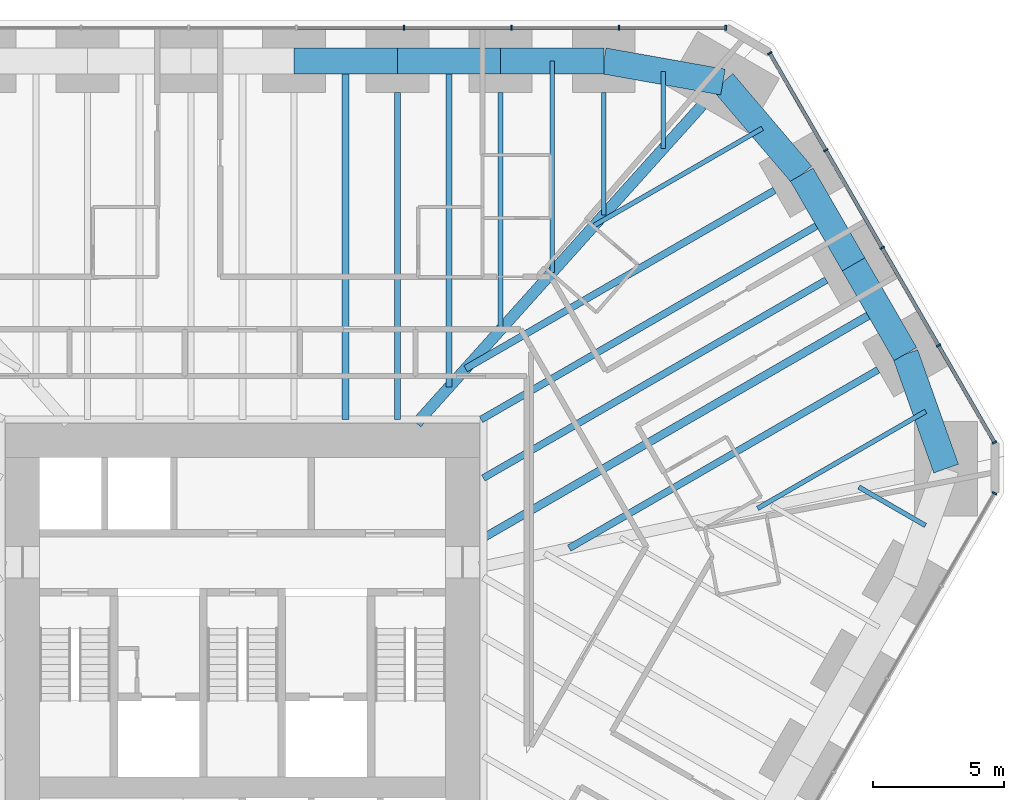
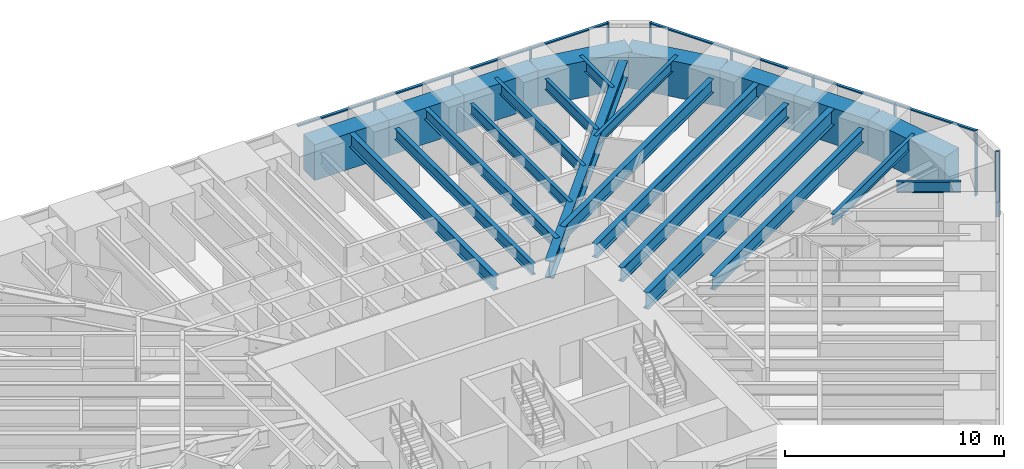
# One storey, part 9 of 17: 24 beams, 18 members, 3 elements without a shape of their own.
"""IFC4 building model written with IfcOpenShell, lengths in metres."""

from ifc_helpers import new_model, si_unit, direction, frame, origin, origin_2d, place, context, subcontext, project, spatial, rectangle, i_section, extrude, material, material_profile, profile_set, type_object, element, aggregate, save


model = new_model("IFC4")

# Units and contexts
model_context = context("Model", 3, precision=1e-05, world=origin(), true_north=direction((0.0, 1.0)))
body_context = subcontext(model_context, "Body", "Model", "MODEL_VIEW")
ifc_project = project(units=[si_unit("LENGTHUNIT", "METRE"), si_unit("AREAUNIT", "SQUARE_METRE"), si_unit("VOLUMEUNIT", "CUBIC_METRE"), si_unit("PLANEANGLEUNIT", "RADIAN"), si_unit("MASSUNIT", "GRAM", prefix="KILO")], contexts=[model_context])

# Site, building, storey
site_placement = place(None, origin())
site = spatial("IfcSite", under=ifc_project, at=site_placement, CompositionType="ELEMENT")
building_placement = place(site_placement, origin())
building = spatial("IfcBuilding", under=site, at=building_placement, Name="Sandreach Pilgrim Tower", CompositionType="ELEMENT")
storey_placement = place(building_placement, frame((0.0, 0.0, 100.60009765625)))
storey = spatial("IfcBuildingStorey", under=building, at=storey_placement, Name="L24", CompositionType="ELEMENT", Elevation=100.60009765625)

# Curtain wall, members
ifc_material_1 = material(Name="Aluminium framed curtain wall", Category="aluminium")
curtain_wall_type = type_object("IfcCurtainWallType", Name="Hotel tower curtain wall", PredefinedType="NOTDEFINED", material=ifc_material_1)
curtain_wall_1_placement = place(storey_placement, origin())
curtain_wall_1 = element("IfcCurtainWall", 1, at=curtain_wall_1_placement, inside=storey, type_object=curtain_wall_type, Name="CW-2 L24 N", PredefinedType="NOTDEFINED")
ifc_material_2 = material(Name="Aluminium extrusion", Category="aluminium")
ifc_material_profile_1 = material_profile(ifc_material_2, rectangle(XDim=0.06494140625, YDim=0.179931640625, at=origin_2d()), Name="CW-2M 65X180")
ifc_profile_set_1 = profile_set([ifc_material_profile_1], Name="Aluminium extrusion")
member_type_1 = type_object("IfcMemberType", Name="CW-2 mullion", PredefinedType="MULLION", material=ifc_profile_set_1)
member_1_placement = place(storey_placement, frame((6.160400390625, 22.493896484375, 0.0), z_axis=(0.0, 0.0, 1.0), x_axis=(1.0, 0.0, 0.0)))
member_1 = element("IfcMember", 2, at=member_1_placement, type_object=member_type_1, Name="CW-2 mullion 7", PredefinedType="MULLION", context=body_context, shape_type="SweptSolid", body=[
    extrude(rectangle(XDim=0.06494140625, YDim=0.179931640625, at=origin_2d()), origin(), (0.0, 0.0, 1.0), 3.639892578125),
])
member_2_placement = place(storey_placement, frame((10.267333984375, 22.493896484375, 0.0), z_axis=(0.0, 0.0, 1.0), x_axis=(1.0, 0.0, 0.0)))
member_2 = element("IfcMember", 3, at=member_2_placement, type_object=member_type_1, Name="CW-2 mullion 8", PredefinedType="MULLION", context=body_context, shape_type="SweptSolid", body=[
    extrude(rectangle(XDim=0.06494140625, YDim=0.179931640625, at=origin_2d()), origin(), (0.0, 0.0, 1.0), 3.639892578125),
])
member_3_placement = place(storey_placement, frame((14.37451171875, 22.493896484375, 0.0), z_axis=(0.0, 0.0, 1.0), x_axis=(1.0, 0.0, 0.0)))
member_3 = element("IfcMember", 4, at=member_3_placement, type_object=member_type_1, Name="CW-2 mullion 9", PredefinedType="MULLION", context=body_context, shape_type="SweptSolid", body=[
    extrude(rectangle(XDim=0.06494140625, YDim=0.179931640625, at=origin_2d()), origin(), (0.0, 0.0, 1.0), 3.639892578125),
])
member_4_placement = place(storey_placement, frame((18.448974609375, 22.493896484375, 0.0), z_axis=(0.0, 0.0, 1.0), x_axis=(1.0, 0.0, 0.0)))
member_4 = element("IfcMember", 5, at=member_4_placement, type_object=member_type_1, Name="CW-2 mullion 10", PredefinedType="MULLION", context=body_context, shape_type="SweptSolid", body=[
    extrude(rectangle(XDim=0.06494140625, YDim=0.179931640625, at=origin_2d()), origin(), (0.0, 0.0, 1.0), 3.639892578125),
])

curtain_wall_2_placement = place(storey_placement, origin())
curtain_wall_2 = element("IfcCurtainWall", 6, at=curtain_wall_2_placement, inside=storey, type_object=curtain_wall_type, Name="CW-2 L24 NE", PredefinedType="NOTDEFINED")
member_5_placement = place(storey_placement, frame((20.125732421875, 21.525634765625, 0.0), z_axis=(0.0, 0.0, 1.0), x_axis=(0.5, -0.866025403784, 0.0)))
member_5 = element("IfcMember", 7, at=member_5_placement, type_object=member_type_1, Name="CW-2 mullion 1", PredefinedType="MULLION", context=body_context, shape_type="SweptSolid", body=[
    extrude(rectangle(XDim=0.06494140625, YDim=0.179931640625, at=origin_2d()), origin(), (0.0, 0.0, 1.0), 3.639892578125),
])
member_6_placement = place(storey_placement, frame((22.262451171875, 17.824951171875, 0.0), z_axis=(0.0, 0.0, 1.0), x_axis=(0.5, -0.866025403784, 0.0)))
member_6 = element("IfcMember", 8, at=member_6_placement, type_object=member_type_1, Name="CW-2 mullion 2", PredefinedType="MULLION", context=body_context, shape_type="SweptSolid", body=[
    extrude(rectangle(XDim=0.06494140625, YDim=0.179931640625, at=origin_2d()), origin(), (0.0, 0.0, 1.0), 3.639892578125),
])
member_7_placement = place(storey_placement, frame((24.415283203125, 14.09619140625, 0.0), z_axis=(0.0, 0.0, 1.0), x_axis=(0.5, -0.866025403784, 0.0)))
member_7 = element("IfcMember", 9, at=member_7_placement, type_object=member_type_1, Name="CW-2 mullion 3", PredefinedType="MULLION", context=body_context, shape_type="SweptSolid", body=[
    extrude(rectangle(XDim=0.06494140625, YDim=0.179931640625, at=origin_2d()), origin(), (0.0, 0.0, 1.0), 3.639892578125),
])
member_8_placement = place(storey_placement, frame((26.568115234375, 10.3671875, 0.0), z_axis=(0.0, 0.0, 1.0), x_axis=(0.5, -0.866025403784, 0.0)))
member_8 = element("IfcMember", 10, at=member_8_placement, type_object=member_type_1, Name="CW-2 mullion 4", PredefinedType="MULLION", context=body_context, shape_type="SweptSolid", body=[
    extrude(rectangle(XDim=0.06494140625, YDim=0.179931640625, at=origin_2d()), origin(), (0.0, 0.0, 1.0), 3.639892578125),
])
member_9_placement = place(storey_placement, frame((28.70458984375, 6.66650390625, 0.0), z_axis=(0.0, 0.0, 1.0), x_axis=(0.5, -0.866025403784, 0.0)))
member_9 = element("IfcMember", 11, at=member_9_placement, type_object=member_type_1, Name="CW-2 mullion 5", PredefinedType="MULLION", context=body_context, shape_type="SweptSolid", body=[
    extrude(rectangle(XDim=0.06494140625, YDim=0.179931640625, at=origin_2d()), origin(), (0.0, 0.0, 1.0), 3.639892578125),
])

# Curtain wall, member
curtain_wall_3_placement = place(storey_placement, origin())
curtain_wall_3 = element("IfcCurtainWall", 12, at=curtain_wall_3_placement, inside=storey, type_object=curtain_wall_type, Name="CW-2 L24 SE", PredefinedType="NOTDEFINED")
member_10_placement = place(storey_placement, frame((28.70458984375, 4.730224609375, 0.0), z_axis=(0.0, 0.0, 1.0), x_axis=(-0.5, -0.866025403784, 0.0)))
member_10 = element("IfcMember", 13, at=member_10_placement, type_object=member_type_1, Name="CW-2 mullion 1", PredefinedType="MULLION", context=body_context, shape_type="SweptSolid", body=[
    extrude(rectangle(XDim=0.06494140625, YDim=0.179931640625, at=origin_2d()), origin(), (0.0, 0.0, 1.0), 3.639892578125),
])
aggregate(curtain_wall_3, [member_10])

# Member
ifc_material_3 = material(Name="Aluminium extrusion", Category="aluminium")
ifc_material_profile_2 = material_profile(ifc_material_3, rectangle(XDim=0.139892578125, YDim=0.070068359375, at=origin_2d()), Name="CW-2T 140X70")
ifc_profile_set_2 = profile_set([ifc_material_profile_2], Name="Aluminium extrusion")
member_type_2 = type_object("IfcMemberType", Name="CW-2 transom", PredefinedType="USERDEFINED", material=ifc_profile_set_2)
member_11_placement = place(storey_placement, frame((2.0859375, 22.493896484375, 3.60498046875), z_axis=(1.0, 0.0, 0.0), x_axis=(0.0, 1.0, 0.0)))
member_11 = element("IfcMember", 14, at=member_11_placement, type_object=member_type_2, Name="CW-2 head transom 6", ObjectType="TRANSOM", PredefinedType="USERDEFINED", context=body_context, shape_type="SweptSolid", body=[
    extrude(rectangle(XDim=0.139892578125, YDim=0.070068359375, at=origin_2d()), origin(), (0.0, 0.0, 1.0), 4.0419921875),
])

member_12_placement = place(storey_placement, frame((6.19287109375, 22.493896484375, 3.60498046875), z_axis=(1.0, 0.0, 0.0), x_axis=(0.0, 1.0, 0.0)))
member_12 = element("IfcMember", 15, at=member_12_placement, type_object=member_type_2, Name="CW-2 head transom 7", ObjectType="TRANSOM", PredefinedType="USERDEFINED", context=body_context, shape_type="SweptSolid", body=[
    extrude(rectangle(XDim=0.139892578125, YDim=0.070068359375, at=origin_2d()), origin(), (0.0, 0.0, 1.0), 4.0419921875),
])

member_13_placement = place(storey_placement, frame((10.300048828125, 22.493896484375, 3.60498046875), z_axis=(1.0, 0.0, 0.0), x_axis=(0.0, 1.0, 0.0)))
member_13 = element("IfcMember", 16, at=member_13_placement, type_object=member_type_2, Name="CW-2 head transom 8", ObjectType="TRANSOM", PredefinedType="USERDEFINED", context=body_context, shape_type="SweptSolid", body=[
    extrude(rectangle(XDim=0.139892578125, YDim=0.070068359375, at=origin_2d()), origin(), (0.0, 0.0, 1.0), 4.041748046875),
])

member_14_placement = place(storey_placement, frame((14.406982421875, 22.493896484375, 3.60498046875), z_axis=(1.0, 0.0, 0.0), x_axis=(0.0, 1.0, 0.0)))
member_14 = element("IfcMember", 17, at=member_14_placement, type_object=member_type_2, Name="CW-2 head transom 9", ObjectType="TRANSOM", PredefinedType="USERDEFINED", context=body_context, shape_type="SweptSolid", body=[
    extrude(rectangle(XDim=0.139892578125, YDim=0.070068359375, at=origin_2d()), origin(), (0.0, 0.0, 1.0), 4.00927734375),
])

aggregate(curtain_wall_1, [member_1, member_2, member_3, member_4, member_11, member_12, member_13, member_14])

member_15_placement = place(storey_placement, frame((20.14208984375, 21.49755859375, 3.60498046875), z_axis=(0.49997020258, -0.86604260665, 0.0), x_axis=(0.86604260665, 0.49997020258, 0.0)))
member_15 = element("IfcMember", 18, at=member_15_placement, type_object=member_type_2, Name="CW-2 head transom 1", ObjectType="TRANSOM", PredefinedType="USERDEFINED", context=body_context, shape_type="SweptSolid", body=[
    extrude(rectangle(XDim=0.139892578125, YDim=0.070068359375, at=origin_2d()), origin(), (0.0, 0.0, 1.0), 4.208251953125),
])

member_16_placement = place(storey_placement, frame((22.278564453125, 17.796875, 3.60498046875), z_axis=(0.499996541496, -0.866027400544, 0.0), x_axis=(0.866027400544, 0.499996541496, 0.0)))
member_16 = element("IfcMember", 19, at=member_16_placement, type_object=member_type_2, Name="CW-2 head transom 2", ObjectType="TRANSOM", PredefinedType="USERDEFINED", context=body_context, shape_type="SweptSolid", body=[
    extrude(rectangle(XDim=0.139892578125, YDim=0.070068359375, at=origin_2d()), origin(), (0.0, 0.0, 1.0), 4.24072265625),
])

member_17_placement = place(storey_placement, frame((24.431396484375, 14.06787109375, 3.60498046875), z_axis=(0.500021471012, -0.866013007135, 0.0), x_axis=(0.866013007135, 0.500021471012, 0.0)))
member_17 = element("IfcMember", 20, at=member_17_placement, type_object=member_type_2, Name="CW-2 head transom 3", ObjectType="TRANSOM", PredefinedType="USERDEFINED", context=body_context, shape_type="SweptSolid", body=[
    extrude(rectangle(XDim=0.139892578125, YDim=0.070068359375, at=origin_2d()), origin(), (0.0, 0.0, 1.0), 4.240478515625),
])

member_18_placement = place(storey_placement, frame((26.584228515625, 10.339111328125, 3.60498046875), z_axis=(0.500038835258, -0.866002981077, 0.0), x_axis=(0.866002981077, 0.500038835258, 0.0)))
member_18 = element("IfcMember", 21, at=member_18_placement, type_object=member_type_2, Name="CW-2 head transom 4", ObjectType="TRANSOM", PredefinedType="USERDEFINED", context=body_context, shape_type="SweptSolid", body=[
    extrude(rectangle(XDim=0.139892578125, YDim=0.070068359375, at=origin_2d()), origin(), (0.0, 0.0, 1.0), 4.208251953125),
])

aggregate(curtain_wall_2, [member_5, member_6, member_7, member_8, member_9, member_15, member_16, member_17, member_18])

# Beams
ifc_material_4 = material(Name="Steel ASTM A992 Grade 50", Category="steel")
ifc_material_profile_3 = material_profile(ifc_material_4, i_section(OverallWidth=0.424072265625, OverallDepth=0.965087890625, WebThickness=0.028564453125, FlangeThickness=0.051025390625, at=origin_2d()), Name="W36X361")
ifc_profile_set_3 = profile_set([ifc_material_profile_3], Name="Steel ASTM A992 Grade 50")
beam_type_1 = type_object("IfcBeamType", Name="Corner girder W36X361", PredefinedType="BEAM", material=ifc_profile_set_3)
beam_1_placement = place(storey_placement, frame((17.53759765625, 19.531005859375, 3.1572265625), z_axis=(-0.668111331361, -0.744061320663, 0.0), x_axis=(0.744061320663, -0.668111331361, 0.0)))
element("IfcBeam", 22, at=beam_1_placement, inside=storey, type_object=beam_type_1, Name="BM L24 CG09", PredefinedType="BEAM", context=body_context, shape_type="SweptSolid", body=[
    extrude(i_section(OverallWidth=0.424072265625, OverallDepth=0.965087890625, WebThickness=0.028564453125, FlangeThickness=0.051025390625, at=origin_2d()), origin(), (0.0, 0.0, 1.0), 16.303955078125),
])
ifc_material_5 = material(Name="Steel ASTM A992 Grade 50", Category="steel")
ifc_material_profile_4 = material_profile(ifc_material_5, i_section(OverallWidth=0.1787109375, OverallDepth=0.60205078125, WebThickness=0.010986328125, FlangeThickness=0.014892578125, at=origin_2d()), Name="W24X62")
ifc_profile_set_4 = profile_set([ifc_material_profile_4], Name="Steel ASTM A992 Grade 50")
beam_type_2 = type_object("IfcBeamType", Name="Floor beam W24X62", PredefinedType="BEAM", material=ifc_profile_set_4)
beam_2_placement = place(storey_placement, frame((9.849853515625, 20.03369140625, 3.3388671875), z_axis=(0.0, -1.0, 0.0), x_axis=(1.0, 0.0, 0.0)))
element("IfcBeam", 23, at=beam_2_placement, inside=storey, type_object=beam_type_2, Name="BM L24 F07", PredefinedType="BEAM", context=body_context, shape_type="SweptSolid", body=[
    extrude(i_section(OverallWidth=0.1787109375, OverallDepth=0.60205078125, WebThickness=0.010986328125, FlangeThickness=0.014892578125, at=origin_2d()), origin(), (0.0, 0.0, 1.0), 9.064208984375),
])
beam_3_placement = place(storey_placement, frame((13.789794921875, 20.03369140625, 3.3388671875), z_axis=(0.0, -1.0, 0.0), x_axis=(1.0, 0.0, 0.0)))
element("IfcBeam", 24, at=beam_3_placement, inside=storey, type_object=beam_type_2, Name="BM L24 F08", PredefinedType="BEAM", context=body_context, shape_type="SweptSolid", body=[
    extrude(i_section(OverallWidth=0.1787109375, OverallDepth=0.60205078125, WebThickness=0.010986328125, FlangeThickness=0.014892578125, at=origin_2d()), origin(), (0.0, 0.0, 1.0), 4.676513671875),
])
beam_4_placement = place(storey_placement, frame((11.81982421875, 21.23388671875, 3.3388671875), z_axis=(0.0, -1.0, 0.0), x_axis=(1.0, 0.0, 0.0)))
element("IfcBeam", 25, at=beam_4_placement, inside=storey, type_object=beam_type_2, Name="BM L24 FM07", PredefinedType="BEAM", context=body_context, shape_type="SweptSolid", body=[
    extrude(i_section(OverallWidth=0.1787109375, OverallDepth=0.60205078125, WebThickness=0.010986328125, FlangeThickness=0.014892578125, at=origin_2d()), origin(), (0.0, 0.0, 1.0), 8.070556640625),
])
beam_5_placement = place(storey_placement, frame((16.064697265625, 20.828857421875, 3.3388671875), z_axis=(0.0, -1.0, 0.0), x_axis=(1.0, 0.0, 0.0)))
element("IfcBeam", 26, at=beam_5_placement, inside=storey, type_object=beam_type_2, Name="BM L24 FM08", PredefinedType="BEAM", context=body_context, shape_type="SweptSolid", body=[
    extrude(i_section(OverallWidth=0.1787109375, OverallDepth=0.60205078125, WebThickness=0.010986328125, FlangeThickness=0.014892578125, at=origin_2d()), origin(), (0.0, 0.0, 1.0), 2.938232421875),
])
for number, where, z_axis, x_axis, name in (
    (27, (19.8427734375, 18.65771484375, 3.3388671875), (-0.866025875064, -0.499999183719, 0.0), (0.499999183719, -0.866025875064, 0.0), "BM L24 FM09"),
    (28, (26.079345703125, 7.855712890625, 3.3388671875), (-0.866025875064, -0.499999183719, 0.0), (0.499999183719, -0.866025875064, 0.0), "BM L24 FM12"),
):
    element("IfcBeam", number, at=place(storey_placement, frame(where, z_axis=z_axis, x_axis=x_axis)), inside=storey, type_object=beam_type_2, Name=name, PredefinedType="BEAM", context=body_context, shape_type="SweptSolid", body=[
        extrude(i_section(OverallWidth=0.1787109375, OverallDepth=0.60205078125, WebThickness=0.010986328125, FlangeThickness=0.014892578125, at=origin_2d()), origin(), (0.0, 0.0, 1.0), 7.40771484375),
    ])
beam_6_placement = place(storey_placement, frame((26.070556640625, 3.498046875, 3.3388671875), z_axis=(-0.866051374412, 0.499955014855, 0.0), x_axis=(-0.499955014855, -0.866051374412, 0.0)))
element("IfcBeam", 29, at=beam_6_placement, inside=storey, type_object=beam_type_2, Name="BM L24 FM13", PredefinedType="BEAM", context=body_context, shape_type="SweptSolid", body=[
    extrude(i_section(OverallWidth=0.1787109375, OverallDepth=0.60205078125, WebThickness=0.010986328125, FlangeThickness=0.014892578125, at=origin_2d()), origin(), (0.0, 0.0, 1.0), 2.938232421875),
])
ifc_material_6 = material(Name="Steel ASTM A992 Grade 50", Category="steel")
ifc_material_profile_5 = material_profile(ifc_material_6, i_section(OverallWidth=0.23046875, OverallDepth=0.6171875, WebThickness=0.01318359375, FlangeThickness=0.022216796875, at=origin_2d()), Name="W24X94")
ifc_profile_set_5 = profile_set([ifc_material_profile_5], Name="Steel ASTM A992 Grade 50")
beam_type_3 = type_object("IfcBeamType", Name="Floor beam W24X94", PredefinedType="BEAM", material=ifc_profile_set_5)
beam_7_placement = place(storey_placement, frame((5.909912109375, 20.03369140625, 3.331298828125), z_axis=(0.0, -1.0, 0.0), x_axis=(1.0, 0.0, 0.0)))
element("IfcBeam", 30, at=beam_7_placement, inside=storey, type_object=beam_type_3, Name="BM L24 F06", PredefinedType="BEAM", context=body_context, shape_type="SweptSolid", body=[
    extrude(i_section(OverallWidth=0.23046875, OverallDepth=0.6171875, WebThickness=0.01318359375, FlangeThickness=0.022216796875, at=origin_2d()), origin(), (0.0, 0.0, 1.0), 12.490234375),
])
beam_8_placement = place(storey_placement, frame((7.8798828125, 21.23388671875, 3.331298828125), z_axis=(0.0, -1.0, 0.0), x_axis=(1.0, 0.0, 0.0)))
element("IfcBeam", 31, at=beam_8_placement, inside=storey, type_object=beam_type_3, Name="BM L24 FM06", PredefinedType="BEAM", context=body_context, shape_type="SweptSolid", body=[
    extrude(i_section(OverallWidth=0.23046875, OverallDepth=0.6171875, WebThickness=0.01318359375, FlangeThickness=0.022216796875, at=origin_2d()), origin(), (0.0, 0.0, 1.0), 12.458251953125),
])
ifc_material_7 = material(Name="Steel ASTM A992 Grade 50", Category="steel")
ifc_material_profile_6 = material_profile(ifc_material_7, i_section(OverallWidth=0.2666015625, OverallDepth=0.761962890625, WebThickness=0.014404296875, FlangeThickness=0.021484375, at=origin_2d()), Name="W30X116")
ifc_profile_set_6 = profile_set([ifc_material_profile_6], Name="Steel ASTM A992 Grade 50")
beam_type_4 = type_object("IfcBeamType", Name="Floor beam W30X116", PredefinedType="BEAM", material=ifc_profile_set_6)
for number, where, z_axis, x_axis, name in (
    (32, (20.30712890625, 16.29150390625, 3.2587890625), (-0.866019859564, -0.500009602748, 0.0), (0.500009602748, -0.866019859564, 0.0), "BM L24 F10"),
    (33, (24.262451171875, 9.440673828125, 3.2587890625), (-0.866032106686, -0.499988390054, 0.0), (0.499988390054, -0.866032106686, 0.0), "BM L24 F12"),
):
    element("IfcBeam", number, at=place(storey_placement, frame(where, z_axis=z_axis, x_axis=x_axis)), inside=storey, type_object=beam_type_4, Name=name, PredefinedType="BEAM", context=body_context, shape_type="SweptSolid", body=[
        extrude(i_section(OverallWidth=0.2666015625, OverallDepth=0.761962890625, WebThickness=0.014404296875, FlangeThickness=0.021484375, at=origin_2d()), origin(), (0.0, 0.0, 1.0), 13.615478515625),
    ])
beam_9_placement = place(storey_placement, frame((3.93994140625, 21.23388671875, 3.2587890625), z_axis=(0.0, -1.0, 0.0), x_axis=(1.0, 0.0, 0.0)))
element("IfcBeam", 34, at=beam_9_placement, inside=storey, type_object=beam_type_4, Name="BM L24 FM05", PredefinedType="BEAM", context=body_context, shape_type="SweptSolid", body=[
    extrude(i_section(OverallWidth=0.2666015625, OverallDepth=0.761962890625, WebThickness=0.014404296875, FlangeThickness=0.021484375, at=origin_2d()), origin(), (0.0, 0.0, 1.0), 13.6904296875),
])
ifc_material_8 = material(Name="Steel ASTM A992 Grade 50", Category="steel")
ifc_material_profile_7 = material_profile(ifc_material_8, i_section(OverallWidth=0.2666015625, OverallDepth=0.77978515625, WebThickness=0.0166015625, FlangeThickness=0.030029296875, at=origin_2d()), Name="W30X148")
ifc_profile_set_7 = profile_set([ifc_material_profile_7], Name="Steel ASTM A992 Grade 50")
beam_type_5 = type_object("IfcBeamType", Name="Floor beam W30X148", PredefinedType="BEAM", material=ifc_profile_set_7)
beam_10_placement = place(storey_placement, frame((22.28466796875, 12.8662109375, 3.25), z_axis=(-0.866023138861, -0.500003922942, 0.0), x_axis=(0.500003922942, -0.866023138861, 0.0)))
element("IfcBeam", 35, at=beam_10_placement, inside=storey, type_object=beam_type_5, Name="BM L24 F11", PredefinedType="BEAM", context=body_context, shape_type="SweptSolid", body=[
    extrude(i_section(OverallWidth=0.2666015625, OverallDepth=0.77978515625, WebThickness=0.0166015625, FlangeThickness=0.030029296875, at=origin_2d()), origin(), (0.0, 0.0, 1.0), 15.11669921875),
])
beam_11_placement = place(storey_placement, frame((22.335205078125, 15.1787109375, 3.25), z_axis=(-0.866028773314, -0.499994163758, 0.0), x_axis=(0.499994163758, -0.866028773314, 0.0)))
element("IfcBeam", 36, at=beam_11_placement, inside=storey, type_object=beam_type_5, Name="BM L24 FM10", PredefinedType="BEAM", context=body_context, shape_type="SweptSolid", body=[
    extrude(i_section(OverallWidth=0.2666015625, OverallDepth=0.77978515625, WebThickness=0.0166015625, FlangeThickness=0.030029296875, at=origin_2d()), origin(), (0.0, 0.0, 1.0), 15.270751953125),
])
ifc_material_9 = material(Name="Steel ASTM A992 Grade 50", Category="steel")
ifc_material_profile_8 = material_profile(ifc_material_9, i_section(OverallWidth=0.3046875, OverallDepth=0.914306640625, WebThickness=0.0166015625, FlangeThickness=0.02587890625, at=origin_2d()), Name="W36X160")
ifc_profile_set_8 = profile_set([ifc_material_profile_8], Name="Steel ASTM A992 Grade 50")
beam_type_6 = type_object("IfcBeamType", Name="Floor beam W36X160", PredefinedType="BEAM", material=ifc_profile_set_8)
beam_12_placement = place(storey_placement, frame((24.312744140625, 11.75341796875, 3.1826171875), z_axis=(-0.866023737483, -0.500002886107, 0.0), x_axis=(0.500002886107, -0.866023737483, 0.0)))
element("IfcBeam", 37, at=beam_12_placement, inside=storey, type_object=beam_type_6, Name="BM L24 FM11", PredefinedType="BEAM", context=body_context, shape_type="SweptSolid", body=[
    extrude(i_section(OverallWidth=0.3046875, OverallDepth=0.914306640625, WebThickness=0.0166015625, FlangeThickness=0.02587890625, at=origin_2d()), origin(), (0.0, 0.0, 1.0), 17.45849609375),
])
ifc_material_10 = material(Name="Concrete 10000 psi", Category="concrete")
ifc_material_profile_9 = material_profile(ifc_material_10, rectangle(XDim=1.0, YDim=2.0, at=origin_2d()), Name="RC1000X2000")
ifc_profile_set_9 = profile_set([ifc_material_profile_9], Name="Concrete 10000 psi")
beam_type_7 = type_object("IfcBeamType", Name="Spandrel beam RC1000X2000", PredefinedType="SPANDREL", material=ifc_profile_set_9)
for number, where, z_axis, x_axis, name in (
    (38, (1.969970703125, 21.23388671875, 2.639892578125), (1.0, 0.0, 0.0), (0.0, 1.0, 0.0), "BM L24 SP05"),
    (39, (5.909912109375, 21.23388671875, 2.639892578125), (1.0, 0.0, 0.0), (0.0, 1.0, 0.0), "BM L24 SP06"),
    (40, (9.849853515625, 21.23388671875, 2.639892578125), (1.0, 0.0, 0.0), (0.0, 1.0, 0.0), "BM L24 SP07"),
):
    element("IfcBeam", number, at=place(storey_placement, frame(where, z_axis=z_axis, x_axis=x_axis)), inside=storey, type_object=beam_type_7, Name=name, PredefinedType="SPANDREL", context=body_context, shape_type="SweptSolid", body=[
        extrude(rectangle(XDim=1.0, YDim=2.0, at=origin_2d()), origin(), (0.0, 0.0, 1.0), 3.93994140625),
    ])
beam_13_placement = place(storey_placement, frame((13.789794921875, 21.23388671875, 2.639892578125), z_axis=(0.984515938739, -0.175295083699, 0.0), x_axis=(0.175295083699, 0.984515938739, 0.0)))
element("IfcBeam", 41, at=beam_13_placement, inside=storey, type_object=beam_type_7, Name="BM L24 SP08", PredefinedType="SPANDREL", context=body_context, shape_type="SweptSolid", body=[
    extrude(rectangle(XDim=1.0, YDim=2.0, at=origin_2d()), origin(), (0.0, 0.0, 1.0), 4.62109375),
])
beam_14_placement = place(storey_placement, frame((18.33935546875, 20.423828125, 2.639892578125), z_axis=(0.648208888384, -0.761462564425, 0.0), x_axis=(0.761462564425, 0.648208888384, 0.0)))
element("IfcBeam", 42, at=beam_14_placement, inside=storey, type_object=beam_type_7, Name="BM L24 SP09", PredefinedType="SPANDREL", context=body_context, shape_type="SweptSolid", body=[
    extrude(rectangle(XDim=1.0, YDim=2.0, at=origin_2d()), origin(), (0.0, 0.0, 1.0), 4.63916015625),
])
for number, where, z_axis, x_axis, name in (
    (43, (21.346435546875, 16.891357421875, 2.639892578125), (0.499989616998, -0.866031398331, 0.0), (0.866031398331, 0.499989616998, 0.0), "BM L24 SP10"),
    (44, (23.323974609375, 13.466064453125, 2.639892578125), (0.499989616998, -0.866031398331, 0.0), (0.866031398331, 0.499989616998, 0.0), "BM L24 SP11"),
):
    element("IfcBeam", number, at=place(storey_placement, frame(where, z_axis=z_axis, x_axis=x_axis)), inside=storey, type_object=beam_type_7, Name=name, PredefinedType="SPANDREL", context=body_context, shape_type="SweptSolid", body=[
        extrude(rectangle(XDim=1.0, YDim=2.0, at=origin_2d()), origin(), (0.0, 0.0, 1.0), 3.955078125),
    ])
beam_15_placement = place(storey_placement, frame((25.301513671875, 10.040771484375, 2.639892578125), z_axis=(0.335346041399, -0.942095023083, 0.0), x_axis=(0.942095023083, 0.335346041399, 0.0)))
element("IfcBeam", 45, at=beam_15_placement, inside=storey, type_object=beam_type_7, Name="BM L24 SP12", PredefinedType="SPANDREL", context=body_context, shape_type="SweptSolid", body=[
    extrude(rectangle(XDim=1.0, YDim=2.0, at=origin_2d()), origin(), (0.0, 0.0, 1.0), 4.638916015625),
])

save(model, "model.ifc")
